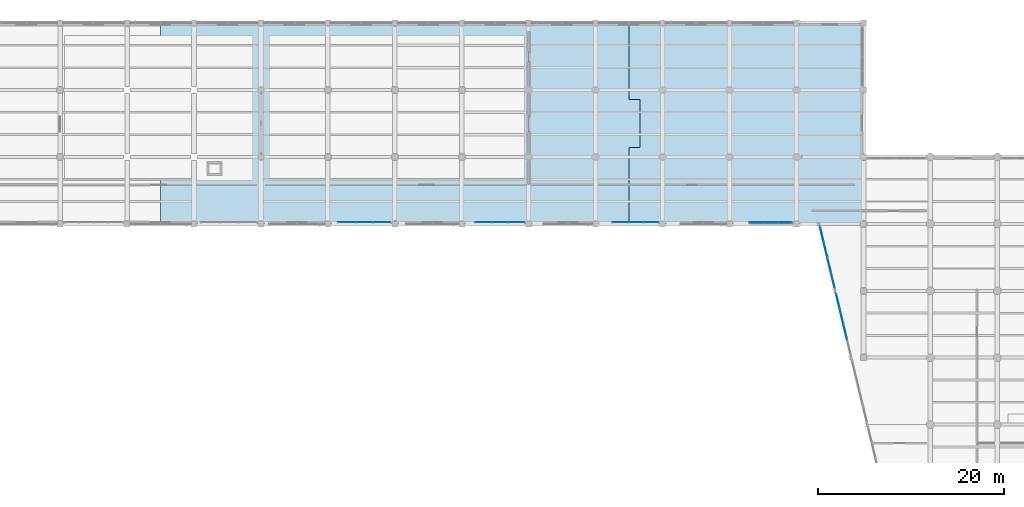
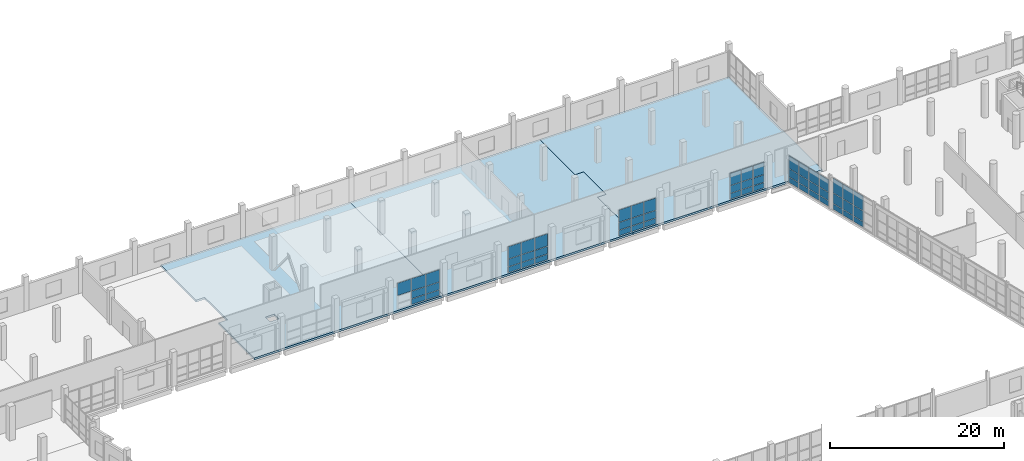
# One storey, part 84 of 127: 55 plates, 3 slabs, 6 elements without a shape of their own.
"""IFC4 building model written with IfcOpenShell, lengths in metres."""

from ifc_helpers import new_model, si_unit, direction, frame, origin, origin_2d, place, context, subcontext, project, spatial, polyline, rectangle, outline, extrude, material, layer, layer_set, type_object, element, aggregate, save


model = new_model("IFC4")

# Units and contexts
model_context = context("Model", 3, precision=1e-05, world=origin(), true_north=direction((0.0, 1.0)))
body_context = subcontext(model_context, "Body", "Model", "MODEL_VIEW")
ifc_project = project(units=[si_unit("LENGTHUNIT", "METRE"), si_unit("AREAUNIT", "SQUARE_METRE"), si_unit("VOLUMEUNIT", "CUBIC_METRE"), si_unit("PLANEANGLEUNIT", "RADIAN"), si_unit("MASSUNIT", "GRAM", prefix="KILO")], contexts=[model_context])

# Site, building, storey
site_placement = place(None, origin())
site = spatial("IfcSite", under=ifc_project, at=site_placement, CompositionType="ELEMENT")
building_placement = place(site_placement, origin())
building = spatial("IfcBuilding", under=site, at=building_placement, Name="Kalmorath City Hall", CompositionType="ELEMENT")
storey_placement = place(building_placement, frame((0.0, 0.0, 5.39990234375)))
storey = spatial("IfcBuildingStorey", under=building, at=storey_placement, Name="L01", CompositionType="ELEMENT", Elevation=5.39990234375)

# Slabs
ifc_material_1 = material(Name="Concrete C40/50", Category="concrete")
ifc_layer_1 = layer(ifc_material_1, 0.280029296875)
ifc_layer_set_1 = layer_set([ifc_layer_1], Name="Concrete C40/50")
slab_type = type_object("IfcSlabType", Name="Concrete composite floor slab 280", PredefinedType="FLOOR", material=ifc_layer_set_1)
slab_1_placement = place(storey_placement, frame((0.0, 0.0, -0.27978515625)))
element("IfcSlab", 1, at=slab_1_placement, inside=storey, type_object=slab_type, Name="L01 Basalt Rear Committee Wing slab FS2-2", PredefinedType="FLOOR", context=body_context, shape_type="SweptSolid", body=[
    extrude(outline(polyline([(54.0, 101.800048828125), (55.14990234375, 101.800048828125), (55.14990234375, 107.0), (54.0, 107.0), (54.0, 115.199951171875), (79.199951171875, 115.199951171875), (79.199951171875, 93.60009765625), (54.0, 93.60009765625), (54.0, 101.800048828125)]), holes=[polyline([(59.199951171875, 100.080078125), (59.199951171875, 99.0), (60.39990234375, 99.0), (60.39990234375, 100.080078125), (59.199951171875, 100.080078125)])]), origin(), (0.0, 0.0, 1.0), 0.27978515625),
])
slab_2_placement = place(storey_placement, frame((0.0, 0.0, -0.27978515625)))
element("IfcSlab", 2, at=slab_2_placement, inside=storey, type_object=slab_type, Name="L01 Basalt Rear Committee Wing slab FS2-3", PredefinedType="FLOOR", context=body_context, shape_type="SweptSolid", body=[
    extrude(outline(polyline([(79.199951171875, 115.199951171875), (104.39990234375, 115.199951171875), (104.39990234375, 107.0), (105.550048828125, 107.0), (105.550048828125, 101.800048828125), (104.39990234375, 101.800048828125), (104.39990234375, 93.60009765625), (79.199951171875, 93.60009765625), (79.199951171875, 115.199951171875)])), origin(), (0.0, 0.0, 1.0), 0.27978515625),
])
slab_3_placement = place(storey_placement, frame((0.0, 0.0, -0.27978515625)))
element("IfcSlab", 3, at=slab_3_placement, inside=storey, type_object=slab_type, Name="L01 Basalt Rear Committee Wing slab FS2-4", PredefinedType="FLOOR", context=body_context, shape_type="SweptSolid", body=[
    extrude(outline(polyline([(104.39990234375, 101.800048828125), (105.550048828125, 101.800048828125), (105.550048828125, 107.0), (104.39990234375, 107.0), (104.39990234375, 115.199951171875), (129.60009765625, 115.199951171875), (129.60009765625, 93.60009765625), (104.39990234375, 93.60009765625), (104.39990234375, 101.800048828125)])), origin(), (0.0, 0.0, 1.0), 0.27978515625),
])

# Curtain wall, plates
ifc_material_2 = material(Name="Anodised aluminium and laminated glass", Category="aluminium")
curtain_wall_type_1 = type_object("IfcCurtainWallType", Name="Unitised hurricane curtain wall 5016x3751 M1750", PredefinedType="NOTDEFINED", material=ifc_material_2)
curtain_wall_1_placement = place(storey_placement, origin())
curtain_wall_1 = element("IfcCurtainWall", 4, at=curtain_wall_1_placement, inside=storey, type_object=curtain_wall_type_1, Name="L01 curtain wall CW-50X38M18 #102", PredefinedType="NOTDEFINED")
ifc_material_3 = material(Name="Hurricane laminated low-E glass", Category="glass")
ifc_layer_2 = layer(ifc_material_3, 0.028076171875)
ifc_layer_set_2 = layer_set([ifc_layer_2], Name="Hurricane laminated low-E glass")
plate_type_1 = type_object("IfcPlateType", Name="Courtyard solar-control glazed panel 28", PredefinedType="CURTAIN_PANEL", material=ifc_layer_set_2)
plate_1_placement = place(storey_placement, frame((106.732666015625, 93.760009765625, 0.06005859375), z_axis=(0.0, 0.0, 1.0), x_axis=(-1.0, 0.0, 0.0)))
plate_1 = element("IfcPlate", 5, at=plate_1_placement, type_object=plate_type_1, Name="CW-50X38M18 panel 1.1", PredefinedType="CURTAIN_PANEL", context=body_context, shape_type="SweptSolid", body=[
    extrude(rectangle(XDim=1.574462890625, YDim=0.028076171875, at=origin_2d()), origin(), (0.0, 0.0, 1.0), 0.760009765625),
])
plate_2_placement = place(storey_placement, frame((106.732666015625, 93.760009765625, 0.880126953125), z_axis=(0.0, 0.0, 1.0), x_axis=(-1.0, 0.0, 0.0)))
plate_2 = element("IfcPlate", 6, at=plate_2_placement, type_object=plate_type_1, Name="CW-50X38M18 panel 1.2", PredefinedType="CURTAIN_PANEL", context=body_context, shape_type="SweptSolid", body=[
    extrude(rectangle(XDim=1.574462890625, YDim=0.028076171875, at=origin_2d()), origin(), (0.0, 0.0, 1.0), 1.041015625),
])
plate_3_placement = place(storey_placement, frame((106.732666015625, 93.760009765625, 1.981201171875), z_axis=(0.0, 0.0, 1.0), x_axis=(-1.0, 0.0, 0.0)))
plate_3 = element("IfcPlate", 7, at=plate_3_placement, type_object=plate_type_1, Name="CW-50X38M18 panel 1.3", PredefinedType="CURTAIN_PANEL", context=body_context, shape_type="SweptSolid", body=[
    extrude(rectangle(XDim=1.574462890625, YDim=0.028076171875, at=origin_2d()), origin(), (0.0, 0.0, 1.0), 1.7099609375),
])
plate_4_placement = place(storey_placement, frame((105.076904296875, 93.760009765625, 0.06005859375), z_axis=(0.0, 0.0, 1.0), x_axis=(-1.0, 0.0, 0.0)))
plate_4 = element("IfcPlate", 8, at=plate_4_placement, type_object=plate_type_1, Name="CW-50X38M18 panel 2.1", PredefinedType="CURTAIN_PANEL", context=body_context, shape_type="SweptSolid", body=[
    extrude(rectangle(XDim=1.60693359375, YDim=0.028076171875, at=origin_2d()), origin(), (0.0, 0.0, 1.0), 0.760009765625),
])
plate_5_placement = place(storey_placement, frame((105.076904296875, 93.760009765625, 0.880126953125), z_axis=(0.0, 0.0, 1.0), x_axis=(-1.0, 0.0, 0.0)))
plate_5 = element("IfcPlate", 9, at=plate_5_placement, type_object=plate_type_1, Name="CW-50X38M18 panel 2.2", PredefinedType="CURTAIN_PANEL", context=body_context, shape_type="SweptSolid", body=[
    extrude(rectangle(XDim=1.60693359375, YDim=0.028076171875, at=origin_2d()), origin(), (0.0, 0.0, 1.0), 1.041015625),
])
plate_6_placement = place(storey_placement, frame((105.076904296875, 93.760009765625, 1.981201171875), z_axis=(0.0, 0.0, 1.0), x_axis=(-1.0, 0.0, 0.0)))
plate_6 = element("IfcPlate", 10, at=plate_6_placement, type_object=plate_type_1, Name="CW-50X38M18 panel 2.3", PredefinedType="CURTAIN_PANEL", context=body_context, shape_type="SweptSolid", body=[
    extrude(rectangle(XDim=1.60693359375, YDim=0.028076171875, at=origin_2d()), origin(), (0.0, 0.0, 1.0), 1.7099609375),
])
plate_7_placement = place(storey_placement, frame((103.421142578125, 93.760009765625, 0.06005859375), z_axis=(0.0, 0.0, 1.0), x_axis=(-1.0, 0.0, 0.0)))
plate_7 = element("IfcPlate", 11, at=plate_7_placement, type_object=plate_type_1, Name="CW-50X38M18 panel 3.1", PredefinedType="CURTAIN_PANEL", context=body_context, shape_type="SweptSolid", body=[
    extrude(rectangle(XDim=1.574462890625, YDim=0.028076171875, at=origin_2d()), origin(), (0.0, 0.0, 1.0), 0.760009765625),
])
plate_8_placement = place(storey_placement, frame((103.421142578125, 93.760009765625, 0.880126953125), z_axis=(0.0, 0.0, 1.0), x_axis=(-1.0, 0.0, 0.0)))
plate_8 = element("IfcPlate", 12, at=plate_8_placement, type_object=plate_type_1, Name="CW-50X38M18 panel 3.2", PredefinedType="CURTAIN_PANEL", context=body_context, shape_type="SweptSolid", body=[
    extrude(rectangle(XDim=1.574462890625, YDim=0.028076171875, at=origin_2d()), origin(), (0.0, 0.0, 1.0), 1.041015625),
])
plate_9_placement = place(storey_placement, frame((103.421142578125, 93.760009765625, 1.981201171875), z_axis=(0.0, 0.0, 1.0), x_axis=(-1.0, 0.0, 0.0)))
plate_9 = element("IfcPlate", 13, at=plate_9_placement, type_object=plate_type_1, Name="CW-50X38M18 panel 3.3", PredefinedType="CURTAIN_PANEL", context=body_context, shape_type="SweptSolid", body=[
    extrude(rectangle(XDim=1.574462890625, YDim=0.028076171875, at=origin_2d()), origin(), (0.0, 0.0, 1.0), 1.7099609375),
])
aggregate(curtain_wall_1, [plate_1, plate_2, plate_3, plate_4, plate_5, plate_6, plate_7, plate_8, plate_9])

ifc_material_4 = material(Name="Anodised aluminium and laminated glass", Category="aluminium")
curtain_wall_type_2 = type_object("IfcCurtainWallType", Name="Unitised hurricane curtain wall 5370x3751 M1750", PredefinedType="NOTDEFINED", material=ifc_material_4)
curtain_wall_2_placement = place(storey_placement, origin())
curtain_wall_2 = element("IfcCurtainWall", 14, at=curtain_wall_2_placement, inside=storey, type_object=curtain_wall_type_2, Name="L01 curtain wall CW-54X38M18 #103", PredefinedType="NOTDEFINED")
plate_10_placement = place(storey_placement, frame((92.273681640625, 93.760009765625, 0.06005859375), z_axis=(0.0, 0.0, 1.0), x_axis=(-1.0, 0.0, 0.0)))
plate_10 = element("IfcPlate", 15, at=plate_10_placement, type_object=plate_type_1, Name="CW-54X38M18 panel 1.1", PredefinedType="CURTAIN_PANEL", context=body_context, shape_type="SweptSolid", body=[
    extrude(rectangle(XDim=1.6923828125, YDim=0.028076171875, at=origin_2d()), origin(), (0.0, 0.0, 1.0), 0.760009765625),
])
plate_11_placement = place(storey_placement, frame((92.273681640625, 93.760009765625, 0.880126953125), z_axis=(0.0, 0.0, 1.0), x_axis=(-1.0, 0.0, 0.0)))
plate_11 = element("IfcPlate", 16, at=plate_11_placement, type_object=plate_type_1, Name="CW-54X38M18 panel 1.2", PredefinedType="CURTAIN_PANEL", context=body_context, shape_type="SweptSolid", body=[
    extrude(rectangle(XDim=1.6923828125, YDim=0.028076171875, at=origin_2d()), origin(), (0.0, 0.0, 1.0), 1.041015625),
])
plate_12_placement = place(storey_placement, frame((92.273681640625, 93.760009765625, 1.981201171875), z_axis=(0.0, 0.0, 1.0), x_axis=(-1.0, 0.0, 0.0)))
plate_12 = element("IfcPlate", 17, at=plate_12_placement, type_object=plate_type_1, Name="CW-54X38M18 panel 1.3", PredefinedType="CURTAIN_PANEL", context=body_context, shape_type="SweptSolid", body=[
    extrude(rectangle(XDim=1.6923828125, YDim=0.028076171875, at=origin_2d()), origin(), (0.0, 0.0, 1.0), 1.7099609375),
])
plate_13_placement = place(storey_placement, frame((90.5, 93.760009765625, 0.06005859375), z_axis=(0.0, 0.0, 1.0), x_axis=(-1.0, 0.0, 0.0)))
plate_13 = element("IfcPlate", 18, at=plate_13_placement, type_object=plate_type_1, Name="CW-54X38M18 panel 2.1", PredefinedType="CURTAIN_PANEL", context=body_context, shape_type="SweptSolid", body=[
    extrude(rectangle(XDim=1.724853515625, YDim=0.028076171875, at=origin_2d()), origin(), (0.0, 0.0, 1.0), 0.760009765625),
])
plate_14_placement = place(storey_placement, frame((90.5, 93.760009765625, 0.880126953125), z_axis=(0.0, 0.0, 1.0), x_axis=(-1.0, 0.0, 0.0)))
plate_14 = element("IfcPlate", 19, at=plate_14_placement, type_object=plate_type_1, Name="CW-54X38M18 panel 2.2", PredefinedType="CURTAIN_PANEL", context=body_context, shape_type="SweptSolid", body=[
    extrude(rectangle(XDim=1.724853515625, YDim=0.028076171875, at=origin_2d()), origin(), (0.0, 0.0, 1.0), 1.041015625),
])
plate_15_placement = place(storey_placement, frame((90.5, 93.760009765625, 1.981201171875), z_axis=(0.0, 0.0, 1.0), x_axis=(-1.0, 0.0, 0.0)))
plate_15 = element("IfcPlate", 20, at=plate_15_placement, type_object=plate_type_1, Name="CW-54X38M18 panel 2.3", PredefinedType="CURTAIN_PANEL", context=body_context, shape_type="SweptSolid", body=[
    extrude(rectangle(XDim=1.724853515625, YDim=0.028076171875, at=origin_2d()), origin(), (0.0, 0.0, 1.0), 1.7099609375),
])
plate_16_placement = place(storey_placement, frame((88.726318359375, 93.760009765625, 0.06005859375), z_axis=(0.0, 0.0, 1.0), x_axis=(-1.0, 0.0, 0.0)))
plate_16 = element("IfcPlate", 21, at=plate_16_placement, type_object=plate_type_1, Name="CW-54X38M18 panel 3.1", PredefinedType="CURTAIN_PANEL", context=body_context, shape_type="SweptSolid", body=[
    extrude(rectangle(XDim=1.6923828125, YDim=0.028076171875, at=origin_2d()), origin(), (0.0, 0.0, 1.0), 0.760009765625),
])
plate_17_placement = place(storey_placement, frame((88.726318359375, 93.760009765625, 0.880126953125), z_axis=(0.0, 0.0, 1.0), x_axis=(-1.0, 0.0, 0.0)))
plate_17 = element("IfcPlate", 22, at=plate_17_placement, type_object=plate_type_1, Name="CW-54X38M18 panel 3.2", PredefinedType="CURTAIN_PANEL", context=body_context, shape_type="SweptSolid", body=[
    extrude(rectangle(XDim=1.6923828125, YDim=0.028076171875, at=origin_2d()), origin(), (0.0, 0.0, 1.0), 1.041015625),
])
plate_18_placement = place(storey_placement, frame((88.726318359375, 93.760009765625, 1.981201171875), z_axis=(0.0, 0.0, 1.0), x_axis=(-1.0, 0.0, 0.0)))
plate_18 = element("IfcPlate", 23, at=plate_18_placement, type_object=plate_type_1, Name="CW-54X38M18 panel 3.3", PredefinedType="CURTAIN_PANEL", context=body_context, shape_type="SweptSolid", body=[
    extrude(rectangle(XDim=1.6923828125, YDim=0.028076171875, at=origin_2d()), origin(), (0.0, 0.0, 1.0), 1.7099609375),
])
aggregate(curtain_wall_2, [plate_10, plate_11, plate_12, plate_13, plate_14, plate_15, plate_16, plate_17, plate_18])

ifc_material_5 = material(Name="Anodised aluminium and laminated glass", Category="aluminium")
curtain_wall_type_3 = type_object("IfcCurtainWallType", Name="Unitised hurricane curtain wall 5724x3751 M1750", PredefinedType="NOTDEFINED", material=ifc_material_5)
curtain_wall_3_placement = place(storey_placement, origin())
curtain_wall_3 = element("IfcCurtainWall", 24, at=curtain_wall_3_placement, inside=storey, type_object=curtain_wall_type_3, Name="L01 curtain wall CW-57X38M18 #104", PredefinedType="NOTDEFINED")
plate_19_placement = place(storey_placement, frame((77.814697265625, 93.760009765625, 0.06005859375), z_axis=(0.0, 0.0, 1.0), x_axis=(-1.0, 0.0, 0.0)))
plate_19 = element("IfcPlate", 25, at=plate_19_placement, type_object=plate_type_1, Name="CW-57X38M18 panel 1.1", PredefinedType="CURTAIN_PANEL", context=body_context, shape_type="SweptSolid", body=[
    extrude(rectangle(XDim=1.810302734375, YDim=0.028076171875, at=origin_2d()), origin(), (0.0, 0.0, 1.0), 0.760009765625),
])
plate_20_placement = place(storey_placement, frame((77.814697265625, 93.760009765625, 0.880126953125), z_axis=(0.0, 0.0, 1.0), x_axis=(-1.0, 0.0, 0.0)))
plate_20 = element("IfcPlate", 26, at=plate_20_placement, type_object=plate_type_1, Name="CW-57X38M18 panel 1.2", PredefinedType="CURTAIN_PANEL", context=body_context, shape_type="SweptSolid", body=[
    extrude(rectangle(XDim=1.810302734375, YDim=0.028076171875, at=origin_2d()), origin(), (0.0, 0.0, 1.0), 1.041015625),
])
plate_21_placement = place(storey_placement, frame((77.814697265625, 93.760009765625, 1.981201171875), z_axis=(0.0, 0.0, 1.0), x_axis=(-1.0, 0.0, 0.0)))
plate_21 = element("IfcPlate", 27, at=plate_21_placement, type_object=plate_type_1, Name="CW-57X38M18 panel 1.3", PredefinedType="CURTAIN_PANEL", context=body_context, shape_type="SweptSolid", body=[
    extrude(rectangle(XDim=1.810302734375, YDim=0.028076171875, at=origin_2d()), origin(), (0.0, 0.0, 1.0), 1.7099609375),
])
plate_22_placement = place(storey_placement, frame((75.923095703125, 93.760009765625, 0.06005859375), z_axis=(0.0, 0.0, 1.0), x_axis=(-1.0, 0.0, 0.0)))
plate_22 = element("IfcPlate", 28, at=plate_22_placement, type_object=plate_type_1, Name="CW-57X38M18 panel 2.1", PredefinedType="CURTAIN_PANEL", context=body_context, shape_type="SweptSolid", body=[
    extrude(rectangle(XDim=1.8427734375, YDim=0.028076171875, at=origin_2d()), origin(), (0.0, 0.0, 1.0), 0.760009765625),
])
plate_23_placement = place(storey_placement, frame((75.923095703125, 93.760009765625, 0.880126953125), z_axis=(0.0, 0.0, 1.0), x_axis=(-1.0, 0.0, 0.0)))
plate_23 = element("IfcPlate", 29, at=plate_23_placement, type_object=plate_type_1, Name="CW-57X38M18 panel 2.2", PredefinedType="CURTAIN_PANEL", context=body_context, shape_type="SweptSolid", body=[
    extrude(rectangle(XDim=1.8427734375, YDim=0.028076171875, at=origin_2d()), origin(), (0.0, 0.0, 1.0), 1.041015625),
])
plate_24_placement = place(storey_placement, frame((75.923095703125, 93.760009765625, 1.981201171875), z_axis=(0.0, 0.0, 1.0), x_axis=(-1.0, 0.0, 0.0)))
plate_24 = element("IfcPlate", 30, at=plate_24_placement, type_object=plate_type_1, Name="CW-57X38M18 panel 2.3", PredefinedType="CURTAIN_PANEL", context=body_context, shape_type="SweptSolid", body=[
    extrude(rectangle(XDim=1.8427734375, YDim=0.028076171875, at=origin_2d()), origin(), (0.0, 0.0, 1.0), 1.7099609375),
])
plate_25_placement = place(storey_placement, frame((74.031494140625, 93.760009765625, 1.981201171875), z_axis=(0.0, 0.0, 1.0), x_axis=(-1.0, 0.0, 0.0)))
plate_25 = element("IfcPlate", 31, at=plate_25_placement, type_object=plate_type_1, Name="CW-57X38M18 panel 3.3", PredefinedType="CURTAIN_PANEL", context=body_context, shape_type="SweptSolid", body=[
    extrude(rectangle(XDim=1.810302734375, YDim=0.028076171875, at=origin_2d()), origin(), (0.0, 0.0, 1.0), 1.7099609375),
])
aggregate(curtain_wall_3, [plate_19, plate_20, plate_21, plate_22, plate_23, plate_24, plate_25])

ifc_material_6 = material(Name="Anodised aluminium and laminated glass", Category="aluminium")
curtain_wall_type_4 = type_object("IfcCurtainWallType", Name="Unitised hurricane curtain wall 6849x4520 M1650", PredefinedType="NOTDEFINED", material=ifc_material_6)
curtain_wall_4_placement = place(storey_placement, origin())
curtain_wall_4 = element("IfcCurtainWall", 32, at=curtain_wall_4_placement, inside=storey, type_object=curtain_wall_type_4, Name="L01 curtain wall CW-68X45M16 #99", PredefinedType="NOTDEFINED")
ifc_material_7 = material(Name="Hurricane laminated low-E glass", Category="glass")
ifc_layer_3 = layer(ifc_material_7, 0.035888671875)
ifc_layer_set_3 = layer_set([ifc_layer_3], Name="Hurricane laminated low-E glass")
plate_type_2 = type_object("IfcPlateType", Name="Library acoustic low-E glazed panel 36", PredefinedType="CURTAIN_PANEL", material=ifc_layer_set_3)
plate_26_placement = place(storey_placement, frame((127.656982421875, 81.967529296875, 0.06005859375), z_axis=(0.0, 0.0, 1.0), x_axis=(-0.233455781305, 0.97236741933, 0.0)))
plate_26 = element("IfcPlate", 33, at=plate_26_placement, type_object=plate_type_2, Name="CW-68X45M16 panel 2.1", PredefinedType="CURTAIN_PANEL", context=body_context, shape_type="SweptSolid", body=[
    extrude(rectangle(XDim=1.63720703125, YDim=0.035888671875, at=origin_2d()), origin(), (0.0, 0.0, 1.0), 0.760009765625),
])
plate_27_placement = place(storey_placement, frame((127.656982421875, 81.967529296875, 0.880126953125), z_axis=(0.0, 0.0, 1.0), x_axis=(-0.233455781305, 0.97236741933, 0.0)))
plate_27 = element("IfcPlate", 34, at=plate_27_placement, type_object=plate_type_2, Name="CW-68X45M16 panel 2.2", PredefinedType="CURTAIN_PANEL", context=body_context, shape_type="SweptSolid", body=[
    extrude(rectangle(XDim=1.63720703125, YDim=0.035888671875, at=origin_2d()), origin(), (0.0, 0.0, 1.0), 1.43994140625),
])
plate_28_placement = place(storey_placement, frame((127.656982421875, 81.967529296875, 2.380126953125), z_axis=(0.0, 0.0, 1.0), x_axis=(-0.233455781305, 0.97236741933, 0.0)))
plate_28 = element("IfcPlate", 35, at=plate_28_placement, type_object=plate_type_2, Name="CW-68X45M16 panel 2.3", PredefinedType="CURTAIN_PANEL", context=body_context, shape_type="SweptSolid", body=[
    extrude(rectangle(XDim=1.63720703125, YDim=0.035888671875, at=origin_2d()), origin(), (0.0, 0.0, 1.0), 2.080078125),
])
plate_29_placement = place(storey_placement, frame((127.25732421875, 83.632568359375, 0.06005859375), z_axis=(0.0, 0.0, 1.0), x_axis=(-0.233455781305, 0.97236741933, 0.0)))
plate_29 = element("IfcPlate", 36, at=plate_29_placement, type_object=plate_type_2, Name="CW-68X45M16 panel 3.1", PredefinedType="CURTAIN_PANEL", context=body_context, shape_type="SweptSolid", body=[
    extrude(rectangle(XDim=1.63720703125, YDim=0.035888671875, at=origin_2d()), origin(), (0.0, 0.0, 1.0), 0.760009765625),
])
plate_30_placement = place(storey_placement, frame((127.25732421875, 83.632568359375, 0.880126953125), z_axis=(0.0, 0.0, 1.0), x_axis=(-0.233455781305, 0.97236741933, 0.0)))
plate_30 = element("IfcPlate", 37, at=plate_30_placement, type_object=plate_type_2, Name="CW-68X45M16 panel 3.2", PredefinedType="CURTAIN_PANEL", context=body_context, shape_type="SweptSolid", body=[
    extrude(rectangle(XDim=1.63720703125, YDim=0.035888671875, at=origin_2d()), origin(), (0.0, 0.0, 1.0), 1.43994140625),
])
plate_31_placement = place(storey_placement, frame((127.25732421875, 83.632568359375, 2.380126953125), z_axis=(0.0, 0.0, 1.0), x_axis=(-0.233455781305, 0.97236741933, 0.0)))
plate_31 = element("IfcPlate", 38, at=plate_31_placement, type_object=plate_type_2, Name="CW-68X45M16 panel 3.3", PredefinedType="CURTAIN_PANEL", context=body_context, shape_type="SweptSolid", body=[
    extrude(rectangle(XDim=1.63720703125, YDim=0.035888671875, at=origin_2d()), origin(), (0.0, 0.0, 1.0), 2.080078125),
])
plate_32_placement = place(storey_placement, frame((126.86181640625, 85.279296875, 0.06005859375), z_axis=(0.0, 0.0, 1.0), x_axis=(-0.233455781305, 0.97236741933, 0.0)))
plate_32 = element("IfcPlate", 39, at=plate_32_placement, type_object=plate_type_2, Name="CW-68X45M16 panel 4.1", PredefinedType="CURTAIN_PANEL", context=body_context, shape_type="SweptSolid", body=[
    extrude(rectangle(XDim=1.599853515625, YDim=0.035888671875, at=origin_2d()), origin(), (0.0, 0.0, 1.0), 0.760009765625),
])
plate_33_placement = place(storey_placement, frame((126.86181640625, 85.279296875, 0.880126953125), z_axis=(0.0, 0.0, 1.0), x_axis=(-0.233455781305, 0.97236741933, 0.0)))
plate_33 = element("IfcPlate", 40, at=plate_33_placement, type_object=plate_type_2, Name="CW-68X45M16 panel 4.2", PredefinedType="CURTAIN_PANEL", context=body_context, shape_type="SweptSolid", body=[
    extrude(rectangle(XDim=1.599853515625, YDim=0.035888671875, at=origin_2d()), origin(), (0.0, 0.0, 1.0), 1.43994140625),
])
plate_34_placement = place(storey_placement, frame((126.86181640625, 85.279296875, 2.380126953125), z_axis=(0.0, 0.0, 1.0), x_axis=(-0.233455781305, 0.97236741933, 0.0)))
plate_34 = element("IfcPlate", 41, at=plate_34_placement, type_object=plate_type_2, Name="CW-68X45M16 panel 4.3", PredefinedType="CURTAIN_PANEL", context=body_context, shape_type="SweptSolid", body=[
    extrude(rectangle(XDim=1.599853515625, YDim=0.035888671875, at=origin_2d()), origin(), (0.0, 0.0, 1.0), 2.080078125),
])
aggregate(curtain_wall_4, [plate_26, plate_27, plate_28, plate_29, plate_30, plate_31, plate_32, plate_33, plate_34])

ifc_material_8 = material(Name="Anodised aluminium and laminated glass", Category="aluminium")
curtain_wall_type_5 = type_object("IfcCurtainWallType", Name="Unitised hurricane curtain wall 6849x3889 M1650", PredefinedType="NOTDEFINED", material=ifc_material_8)
curtain_wall_5_placement = place(storey_placement, origin())
curtain_wall_5 = element("IfcCurtainWall", 42, at=curtain_wall_5_placement, inside=storey, type_object=curtain_wall_type_5, Name="L01 curtain wall CW-68X39M16 #100", PredefinedType="NOTDEFINED")
plate_35_placement = place(storey_placement, frame((126.32373046875, 87.520751953125, 0.06005859375), z_axis=(0.0, 0.0, 1.0), x_axis=(-0.233455781305, 0.97236741933, 0.0)))
plate_35 = element("IfcPlate", 43, at=plate_35_placement, type_object=plate_type_2, Name="CW-68X39M16 panel 1.1", PredefinedType="CURTAIN_PANEL", context=body_context, shape_type="SweptSolid", body=[
    extrude(rectangle(XDim=1.599853515625, YDim=0.035888671875, at=origin_2d()), origin(), (0.0, 0.0, 1.0), 0.760009765625),
])
plate_36_placement = place(storey_placement, frame((126.32373046875, 87.520751953125, 0.8798828125), z_axis=(0.0, 0.0, 1.0), x_axis=(-0.233455781305, 0.97236741933, 0.0)))
plate_36 = element("IfcPlate", 44, at=plate_36_placement, type_object=plate_type_2, Name="CW-68X39M16 panel 1.2", PredefinedType="CURTAIN_PANEL", context=body_context, shape_type="SweptSolid", body=[
    extrude(rectangle(XDim=1.599853515625, YDim=0.035888671875, at=origin_2d()), origin(), (0.0, 0.0, 1.0), 1.112060546875),
])
plate_37_placement = place(storey_placement, frame((126.32373046875, 87.520751953125, 2.05224609375), z_axis=(0.0, 0.0, 1.0), x_axis=(-0.233455781305, 0.97236741933, 0.0)))
plate_37 = element("IfcPlate", 45, at=plate_37_placement, type_object=plate_type_2, Name="CW-68X39M16 panel 1.3", PredefinedType="CURTAIN_PANEL", context=body_context, shape_type="SweptSolid", body=[
    extrude(rectangle(XDim=1.599853515625, YDim=0.035888671875, at=origin_2d()), origin(), (0.0, 0.0, 1.0), 1.777099609375),
])
plate_38_placement = place(storey_placement, frame((125.928466796875, 89.16748046875, 0.06005859375), z_axis=(0.0, 0.0, 1.0), x_axis=(-0.233455781305, 0.97236741933, 0.0)))
plate_38 = element("IfcPlate", 46, at=plate_38_placement, type_object=plate_type_2, Name="CW-68X39M16 panel 2.1", PredefinedType="CURTAIN_PANEL", context=body_context, shape_type="SweptSolid", body=[
    extrude(rectangle(XDim=1.63720703125, YDim=0.035888671875, at=origin_2d()), origin(), (0.0, 0.0, 1.0), 0.760009765625),
])
plate_39_placement = place(storey_placement, frame((125.928466796875, 89.16748046875, 0.8798828125), z_axis=(0.0, 0.0, 1.0), x_axis=(-0.233455781305, 0.97236741933, 0.0)))
plate_39 = element("IfcPlate", 47, at=plate_39_placement, type_object=plate_type_2, Name="CW-68X39M16 panel 2.2", PredefinedType="CURTAIN_PANEL", context=body_context, shape_type="SweptSolid", body=[
    extrude(rectangle(XDim=1.63720703125, YDim=0.035888671875, at=origin_2d()), origin(), (0.0, 0.0, 1.0), 1.112060546875),
])
plate_40_placement = place(storey_placement, frame((125.928466796875, 89.16748046875, 2.05224609375), z_axis=(0.0, 0.0, 1.0), x_axis=(-0.233455781305, 0.97236741933, 0.0)))
plate_40 = element("IfcPlate", 48, at=plate_40_placement, type_object=plate_type_2, Name="CW-68X39M16 panel 2.3", PredefinedType="CURTAIN_PANEL", context=body_context, shape_type="SweptSolid", body=[
    extrude(rectangle(XDim=1.63720703125, YDim=0.035888671875, at=origin_2d()), origin(), (0.0, 0.0, 1.0), 1.777099609375),
])
plate_41_placement = place(storey_placement, frame((125.528564453125, 90.83251953125, 0.06005859375), z_axis=(0.0, 0.0, 1.0), x_axis=(-0.233455781305, 0.97236741933, 0.0)))
plate_41 = element("IfcPlate", 49, at=plate_41_placement, type_object=plate_type_2, Name="CW-68X39M16 panel 3.1", PredefinedType="CURTAIN_PANEL", context=body_context, shape_type="SweptSolid", body=[
    extrude(rectangle(XDim=1.63720703125, YDim=0.035888671875, at=origin_2d()), origin(), (0.0, 0.0, 1.0), 0.760009765625),
])
plate_42_placement = place(storey_placement, frame((125.528564453125, 90.83251953125, 0.8798828125), z_axis=(0.0, 0.0, 1.0), x_axis=(-0.233455781305, 0.97236741933, 0.0)))
plate_42 = element("IfcPlate", 50, at=plate_42_placement, type_object=plate_type_2, Name="CW-68X39M16 panel 3.2", PredefinedType="CURTAIN_PANEL", context=body_context, shape_type="SweptSolid", body=[
    extrude(rectangle(XDim=1.63720703125, YDim=0.035888671875, at=origin_2d()), origin(), (0.0, 0.0, 1.0), 1.112060546875),
])
plate_43_placement = place(storey_placement, frame((125.528564453125, 90.83251953125, 2.05224609375), z_axis=(0.0, 0.0, 1.0), x_axis=(-0.233455781305, 0.97236741933, 0.0)))
plate_43 = element("IfcPlate", 51, at=plate_43_placement, type_object=plate_type_2, Name="CW-68X39M16 panel 3.3", PredefinedType="CURTAIN_PANEL", context=body_context, shape_type="SweptSolid", body=[
    extrude(rectangle(XDim=1.63720703125, YDim=0.035888671875, at=origin_2d()), origin(), (0.0, 0.0, 1.0), 1.777099609375),
])
plate_44_placement = place(storey_placement, frame((125.13330078125, 92.479248046875, 0.06005859375), z_axis=(0.0, 0.0, 1.0), x_axis=(-0.233455781305, 0.97236741933, 0.0)))
plate_44 = element("IfcPlate", 52, at=plate_44_placement, type_object=plate_type_2, Name="CW-68X39M16 panel 4.1", PredefinedType="CURTAIN_PANEL", context=body_context, shape_type="SweptSolid", body=[
    extrude(rectangle(XDim=1.599853515625, YDim=0.035888671875, at=origin_2d()), origin(), (0.0, 0.0, 1.0), 0.760009765625),
])
plate_45_placement = place(storey_placement, frame((125.13330078125, 92.479248046875, 0.8798828125), z_axis=(0.0, 0.0, 1.0), x_axis=(-0.233455781305, 0.97236741933, 0.0)))
plate_45 = element("IfcPlate", 53, at=plate_45_placement, type_object=plate_type_2, Name="CW-68X39M16 panel 4.2", PredefinedType="CURTAIN_PANEL", context=body_context, shape_type="SweptSolid", body=[
    extrude(rectangle(XDim=1.599853515625, YDim=0.035888671875, at=origin_2d()), origin(), (0.0, 0.0, 1.0), 1.112060546875),
])
plate_46_placement = place(storey_placement, frame((125.13330078125, 92.479248046875, 2.05224609375), z_axis=(0.0, 0.0, 1.0), x_axis=(-0.233455781305, 0.97236741933, 0.0)))
plate_46 = element("IfcPlate", 54, at=plate_46_placement, type_object=plate_type_2, Name="CW-68X39M16 panel 4.3", PredefinedType="CURTAIN_PANEL", context=body_context, shape_type="SweptSolid", body=[
    extrude(rectangle(XDim=1.599853515625, YDim=0.035888671875, at=origin_2d()), origin(), (0.0, 0.0, 1.0), 1.777099609375),
])
aggregate(curtain_wall_5, [plate_35, plate_36, plate_37, plate_38, plate_39, plate_40, plate_41, plate_42, plate_43, plate_44, plate_45, plate_46])

ifc_material_9 = material(Name="Anodised aluminium and laminated glass", Category="aluminium")
curtain_wall_type_6 = type_object("IfcCurtainWallType", Name="Unitised hurricane curtain wall 4662x3751 M1650", PredefinedType="NOTDEFINED", material=ifc_material_9)
curtain_wall_6_placement = place(storey_placement, origin())
curtain_wall_6 = element("IfcCurtainWall", 55, at=curtain_wall_6_placement, inside=storey, type_object=curtain_wall_type_6, Name="L01 curtain wall CW-47X38M16 #101", PredefinedType="NOTDEFINED")
plate_47_placement = place(storey_placement, frame((121.189208984375, 93.760009765625, 0.06005859375), z_axis=(0.0, 0.0, 1.0), x_axis=(-1.0, 0.0, 0.0)))
plate_47 = element("IfcPlate", 56, at=plate_47_placement, type_object=plate_type_2, Name="CW-47X38M16 panel 1.1", PredefinedType="CURTAIN_PANEL", context=body_context, shape_type="SweptSolid", body=[
    extrude(rectangle(XDim=1.441650390625, YDim=0.035888671875, at=origin_2d()), origin(), (0.0, 0.0, 1.0), 0.760009765625),
])
plate_48_placement = place(storey_placement, frame((121.189208984375, 93.760009765625, 0.880126953125), z_axis=(0.0, 0.0, 1.0), x_axis=(-1.0, 0.0, 0.0)))
plate_48 = element("IfcPlate", 57, at=plate_48_placement, type_object=plate_type_2, Name="CW-47X38M16 panel 1.2", PredefinedType="CURTAIN_PANEL", context=body_context, shape_type="SweptSolid", body=[
    extrude(rectangle(XDim=1.441650390625, YDim=0.035888671875, at=origin_2d()), origin(), (0.0, 0.0, 1.0), 1.041015625),
])
plate_49_placement = place(storey_placement, frame((121.189208984375, 93.760009765625, 1.981201171875), z_axis=(0.0, 0.0, 1.0), x_axis=(-1.0, 0.0, 0.0)))
plate_49 = element("IfcPlate", 58, at=plate_49_placement, type_object=plate_type_2, Name="CW-47X38M16 panel 1.3", PredefinedType="CURTAIN_PANEL", context=body_context, shape_type="SweptSolid", body=[
    extrude(rectangle(XDim=1.441650390625, YDim=0.035888671875, at=origin_2d()), origin(), (0.0, 0.0, 1.0), 1.7099609375),
])
plate_50_placement = place(storey_placement, frame((119.65380859375, 93.760009765625, 0.06005859375), z_axis=(0.0, 0.0, 1.0), x_axis=(-1.0, 0.0, 0.0)))
plate_50 = element("IfcPlate", 59, at=plate_50_placement, type_object=plate_type_2, Name="CW-47X38M16 panel 2.1", PredefinedType="CURTAIN_PANEL", context=body_context, shape_type="SweptSolid", body=[
    extrude(rectangle(XDim=1.47900390625, YDim=0.035888671875, at=origin_2d()), origin(), (0.0, 0.0, 1.0), 0.760009765625),
])
plate_51_placement = place(storey_placement, frame((119.65380859375, 93.760009765625, 0.880126953125), z_axis=(0.0, 0.0, 1.0), x_axis=(-1.0, 0.0, 0.0)))
plate_51 = element("IfcPlate", 60, at=plate_51_placement, type_object=plate_type_2, Name="CW-47X38M16 panel 2.2", PredefinedType="CURTAIN_PANEL", context=body_context, shape_type="SweptSolid", body=[
    extrude(rectangle(XDim=1.47900390625, YDim=0.035888671875, at=origin_2d()), origin(), (0.0, 0.0, 1.0), 1.041015625),
])
plate_52_placement = place(storey_placement, frame((119.65380859375, 93.760009765625, 1.981201171875), z_axis=(0.0, 0.0, 1.0), x_axis=(-1.0, 0.0, 0.0)))
plate_52 = element("IfcPlate", 61, at=plate_52_placement, type_object=plate_type_2, Name="CW-47X38M16 panel 2.3", PredefinedType="CURTAIN_PANEL", context=body_context, shape_type="SweptSolid", body=[
    extrude(rectangle(XDim=1.47900390625, YDim=0.035888671875, at=origin_2d()), origin(), (0.0, 0.0, 1.0), 1.7099609375),
])
plate_53_placement = place(storey_placement, frame((118.118408203125, 93.760009765625, 0.06005859375), z_axis=(0.0, 0.0, 1.0), x_axis=(-1.0, 0.0, 0.0)))
plate_53 = element("IfcPlate", 62, at=plate_53_placement, type_object=plate_type_2, Name="CW-47X38M16 panel 3.1", PredefinedType="CURTAIN_PANEL", context=body_context, shape_type="SweptSolid", body=[
    extrude(rectangle(XDim=1.441650390625, YDim=0.035888671875, at=origin_2d()), origin(), (0.0, 0.0, 1.0), 0.760009765625),
])
plate_54_placement = place(storey_placement, frame((118.118408203125, 93.760009765625, 0.880126953125), z_axis=(0.0, 0.0, 1.0), x_axis=(-1.0, 0.0, 0.0)))
plate_54 = element("IfcPlate", 63, at=plate_54_placement, type_object=plate_type_2, Name="CW-47X38M16 panel 3.2", PredefinedType="CURTAIN_PANEL", context=body_context, shape_type="SweptSolid", body=[
    extrude(rectangle(XDim=1.441650390625, YDim=0.035888671875, at=origin_2d()), origin(), (0.0, 0.0, 1.0), 1.041015625),
])
plate_55_placement = place(storey_placement, frame((118.118408203125, 93.760009765625, 1.981201171875), z_axis=(0.0, 0.0, 1.0), x_axis=(-1.0, 0.0, 0.0)))
plate_55 = element("IfcPlate", 64, at=plate_55_placement, type_object=plate_type_2, Name="CW-47X38M16 panel 3.3", PredefinedType="CURTAIN_PANEL", context=body_context, shape_type="SweptSolid", body=[
    extrude(rectangle(XDim=1.441650390625, YDim=0.035888671875, at=origin_2d()), origin(), (0.0, 0.0, 1.0), 1.7099609375),
])
aggregate(curtain_wall_6, [plate_47, plate_48, plate_49, plate_50, plate_51, plate_52, plate_53, plate_54, plate_55])

save(model, "model.ifc")
